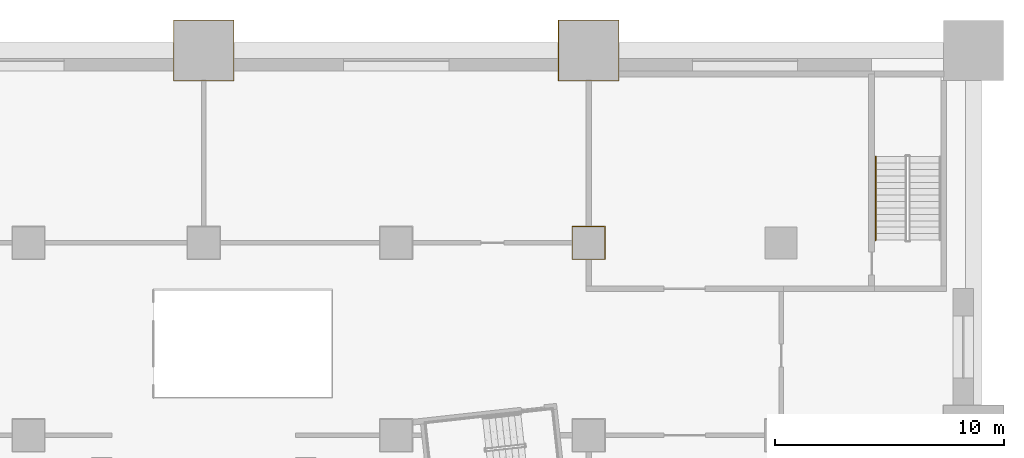
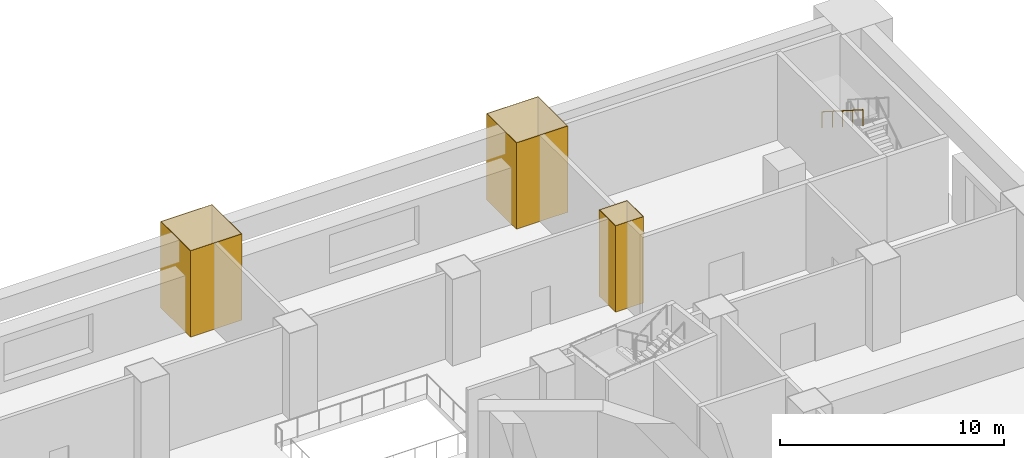
# One storey, part 15 of 17: 3 coverings, 1 railing.
"""IFC4 building model written with IfcOpenShell, lengths in metres."""

from ifc_helpers import new_model, si_unit, direction, frame, origin, origin_2d, place, context, subcontext, project, spatial, polyline, circle, outline, extrude, material, layer, layer_set, type_object, element, save


model = new_model("IFC4")

# Units and contexts
model_context = context("Model", 3, precision=1e-05, world=origin(), true_north=direction((0.0, 1.0)))
body_context = subcontext(model_context, "Body", "Model", "MODEL_VIEW")
ifc_project = project(units=[si_unit("LENGTHUNIT", "METRE"), si_unit("AREAUNIT", "SQUARE_METRE"), si_unit("VOLUMEUNIT", "CUBIC_METRE"), si_unit("PLANEANGLEUNIT", "RADIAN"), si_unit("MASSUNIT", "GRAM", prefix="KILO")], contexts=[model_context])

# Site, building, storey
site_placement = place(None, origin())
site = spatial("IfcSite", under=ifc_project, at=site_placement, CompositionType="ELEMENT")
building_placement = place(site_placement, origin())
building = spatial("IfcBuilding", under=site, at=building_placement, Name="Cantera Rosa Tower", CompositionType="ELEMENT")
storey_placement = place(building_placement, frame((0.0, 0.0, 22.0)))
storey = spatial("IfcBuildingStorey", under=building, at=storey_placement, Name="L03", CompositionType="ELEMENT", Elevation=22.0)

# Coverings
ifc_material_1 = material(Name="Plaster")
ifc_layer = layer(ifc_material_1, 0.030029296875)
ifc_layer_set = layer_set([ifc_layer], Name="Column casing 30")
covering_type = type_object("IfcCoveringType", Name="Column casing 30", PredefinedType="CLADDING", material=ifc_layer_set)
covering_1_placement = place(storey_placement, origin())
element("IfcCovering", 1, at=covering_1_placement, inside=storey, type_object=covering_type, Name="Column casing L03-020", PredefinedType="CLADDING", context=body_context, shape_type="SweptSolid", body=[
    extrude(outline(polyline([(-1.330078125, 28.070068359375), (1.330078125, 28.070068359375), (1.330078125, 30.72998046875), (-1.330078125, 30.72998046875), (-1.330078125, 28.070068359375)]), holes=[polyline([(1.300048828125, 30.699951171875), (-1.300048828125, 30.699951171875), (-1.300048828125, 28.10009765625), (1.300048828125, 28.10009765625), (1.300048828125, 30.699951171875)])]), origin(), (0.0, 0.0, 1.0), 4.699951171875),
])
covering_2_placement = place(storey_placement, origin())
element("IfcCovering", 2, at=covering_2_placement, inside=storey, type_object=covering_type, Name="Column casing L03-031", PredefinedType="CLADDING", context=body_context, shape_type="SweptSolid", body=[
    extrude(outline(polyline([(16.070068359375, 20.27001953125), (17.530029296875, 20.27001953125), (17.530029296875, 21.72998046875), (16.070068359375, 21.72998046875), (16.070068359375, 20.27001953125)]), holes=[polyline([(17.5, 21.699951171875), (16.10009765625, 21.699951171875), (16.10009765625, 20.300048828125), (17.5, 20.300048828125), (17.5, 21.699951171875)])]), origin(), (0.0, 0.0, 1.0), 4.699951171875),
])
covering_3_placement = place(storey_placement, origin())
element("IfcCovering", 3, at=covering_3_placement, inside=storey, type_object=covering_type, Name="Column casing L03-032", PredefinedType="CLADDING", context=body_context, shape_type="SweptSolid", body=[
    extrude(outline(polyline([(15.469970703125, 28.070068359375), (18.1298828125, 28.070068359375), (18.1298828125, 30.72998046875), (15.469970703125, 30.72998046875), (15.469970703125, 28.070068359375)]), holes=[polyline([(18.10009765625, 30.699951171875), (15.5, 30.699951171875), (15.5, 28.10009765625), (18.10009765625, 28.10009765625), (18.10009765625, 30.699951171875)])]), origin(), (0.0, 0.0, 1.0), 4.699951171875),
])

# Railing
ifc_material_2 = material(Name="Steel S355J2 (EN 10025-2)", Category="steel")
railing_type = type_object("IfcRailingType", Name="STAIR HANDRAIL 900", PredefinedType="HANDRAIL", material=ifc_material_2)
railing_placement = place(storey_placement, frame((29.324951171875, 24.764892578125, 2.678466796875)))
element("IfcRailing", 4, at=railing_placement, inside=storey, type_object=railing_type, Name="L03 ST-NE stair handrail 2", PredefinedType="HANDRAIL", context=body_context, shape_type="SweptSolid", body=[
    extrude(circle(Radius=0.02392578125, at=origin_2d()), frame((0.0, 0.0, 0.8759765625), z_axis=(0.0, -0.843111507901, 0.53773877045), x_axis=(1.0, 0.0, 0.0)), (0.0, 0.0, 1.0), 4.317138671875),
    extrude(circle(Radius=0.02099609375, at=origin_2d()), origin(), (0.0, 0.0, 1.0), 0.851806640625),
    extrude(circle(Radius=0.02099609375, at=origin_2d()), frame((0.0, -0.909912109375, 0.580322265625)), (0.0, 0.0, 1.0), 0.851806640625),
    extrude(circle(Radius=0.02099609375, at=origin_2d()), frame((0.0, -1.81982421875, 1.16064453125)), (0.0, 0.0, 1.0), 0.851806640625),
    extrude(circle(Radius=0.02099609375, at=origin_2d()), frame((0.0, -2.72998046875, 1.7412109375)), (0.0, 0.0, 1.0), 0.851806640625),
    extrude(circle(Radius=0.02099609375, at=origin_2d()), frame((0.0, -3.639892578125, 2.321533203125)), (0.0, 0.0, 1.0), 0.851806640625),
])

save(model, "model.ifc")
